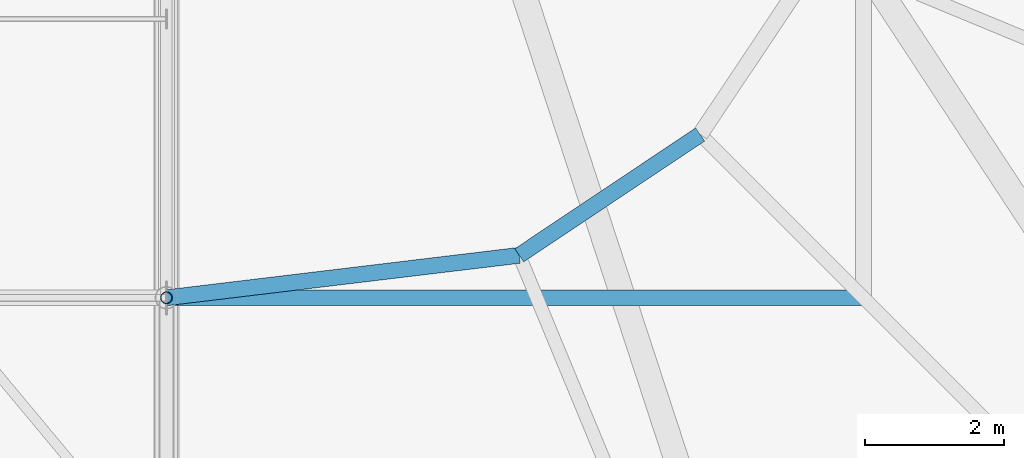
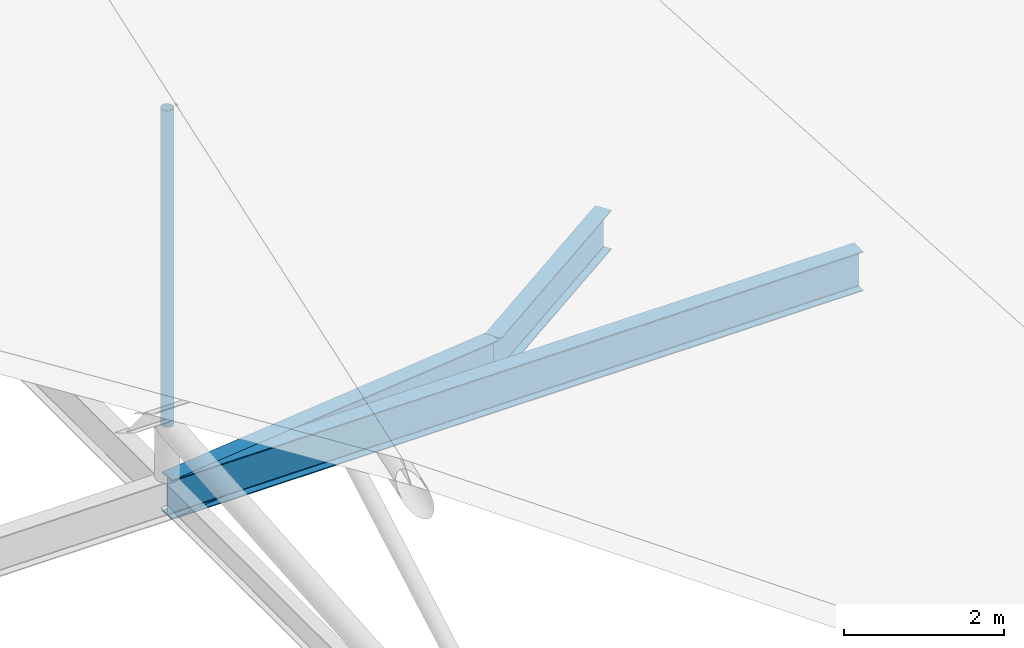
# One storey, part 62 of 93: 3 beams, 1 member.
"""IFC4 building model written with IfcOpenShell, lengths in metres."""

from ifc_helpers import new_model, si_unit, derived_unit, direction, frame, origin, origin_2d_with_axis, place, context, subcontext, project, spatial, hollow_circle, i_section, extrude, material, material_profile, profile_set, type_object, element, save


model = new_model("IFC4")

# Units and contexts
model_context = context("Model", 3, precision=1e-05, world=origin(), true_north=direction((0.0, 1.0)))
body_context = subcontext(model_context, "Body", "Model", "MODEL_VIEW")
ifc_project = project(units=[si_unit("LENGTHUNIT", "METRE"), si_unit("AREAUNIT", "SQUARE_METRE"), si_unit("VOLUMEUNIT", "CUBIC_METRE"), si_unit("PLANEANGLEUNIT", "RADIAN"), si_unit("MASSUNIT", "GRAM", prefix="KILO"), derived_unit("THERMALTRANSMITTANCEUNIT", [(si_unit("POWERUNIT", "WATT"), 1), (si_unit("LENGTHUNIT", "METRE"), -2), (si_unit("THERMODYNAMICTEMPERATUREUNIT", "KELVIN"), -1)])], contexts=[model_context])

# Site, building, storey
site_placement = place(None, origin())
site = spatial("IfcSite", under=ifc_project, at=site_placement, CompositionType="ELEMENT")
building_placement = place(site_placement, origin())
building = spatial("IfcBuilding", under=site, at=building_placement, Name="Cinnabar Yard Market Hall", CompositionType="ELEMENT")
storey_placement = place(building_placement, frame((0.0, 0.0, 23.800048828125)))
storey = spatial("IfcBuildingStorey", under=building, at=storey_placement, Name="ROOF", CompositionType="ELEMENT", Elevation=23.800048828125)

# Beams
ifc_material_1 = material(Name="Steel Grade 300 (300 MPa)", Category="steel")
ifc_material_profile_1 = material_profile(ifc_material_1, i_section(OverallWidth=0.22802734375, OverallDepth=0.60205078125, WebThickness=0.010498046875, FlangeThickness=0.014892578125, FilletRadius=0.013916015625, at=origin_2d_with_axis()), Name="610UB101")
ifc_profile_set_1 = profile_set([ifc_material_profile_1], Name="Steel Grade 300 (300 MPa)")
beam_type = type_object("IfcBeamType", Name="BM-B02", PredefinedType="BEAM", material=ifc_profile_set_1)
beam_1_placement = place(storey_placement, frame((146.0, 24.0, -9.700927734375), z_axis=(1.0, 0.0, 0.0), x_axis=(0.0, 1.0, 0.0)))
element("IfcBeam", 1, at=beam_1_placement, inside=storey, type_object=beam_type, Name="Hall Longitudinal Tie Girder 00379", PredefinedType="BEAM", context=body_context, shape_type="SweptSolid", body=[
    extrude(i_section(OverallWidth=0.22802734375, OverallDepth=0.60205078125, WebThickness=0.010498046875, FlangeThickness=0.014892578125, FilletRadius=0.013916015625, at=origin_2d_with_axis()), origin(), (0.0, 0.0, 1.0), 10.0),
])
beam_2_placement = place(storey_placement, frame((146.0, 24.0, -9.700927734375), z_axis=(0.992841898615, 0.119436026198, 0.0), x_axis=(-0.119436026198, 0.992841898615, 0.0)))
element("IfcBeam", 2, at=beam_2_placement, inside=storey, type_object=beam_type, Name="Inner Corner Ring SE 00466", PredefinedType="BEAM", context=body_context, shape_type="SweptSolid", body=[
    extrude(i_section(OverallWidth=0.22802734375, OverallDepth=0.60205078125, WebThickness=0.010498046875, FlangeThickness=0.014892578125, FilletRadius=0.013916015625, at=origin_2d_with_axis()), origin(), (0.0, 0.0, 1.0), 5.097900390625),
])
beam_3_placement = place(storey_placement, frame((151.0615234375, 24.60888671875, -9.700927734375), z_axis=(0.831484320434, 0.555548220115, 0.0), x_axis=(-0.555548220115, 0.831484320434, 0.0)))
element("IfcBeam", 3, at=beam_3_placement, inside=storey, type_object=beam_type, Name="Inner Corner Ring SE 00469", PredefinedType="BEAM", context=body_context, shape_type="SweptSolid", body=[
    extrude(i_section(OverallWidth=0.22802734375, OverallDepth=0.60205078125, WebThickness=0.010498046875, FlangeThickness=0.014892578125, FilletRadius=0.013916015625, at=origin_2d_with_axis()), origin(), (0.0, 0.0, 1.0), 3.12158203125),
])

# Member
ifc_material_2 = material(Name="Cold-formed steel C350L0", Category="steel")
ifc_material_profile_2 = material_profile(ifc_material_2, hollow_circle(Radius=0.084228515625, WallThickness=0.00634765625, at=origin_2d_with_axis()), Name="168.3x6.4CHS")
ifc_profile_set_2 = profile_set([ifc_material_profile_2], Name="Cold-formed steel C350L0")
member_type = type_object("IfcMemberType", Name="MB-WB01", PredefinedType="STRUT", material=ifc_profile_set_2)
member_placement = place(storey_placement, frame((146.0, 24.0, -8.60009765625), z_axis=(0.0, 0.0, 1.0), x_axis=(1.0, 0.0, 0.0)))
element("IfcMember", 4, at=member_placement, inside=storey, type_object=member_type, Name="Hall Truss 146 Post 1", PredefinedType="STRUT", context=body_context, shape_type="SweptSolid", body=[
    extrude(hollow_circle(Radius=0.084228515625, WallThickness=0.00634765625, at=origin_2d_with_axis()), origin(), (0.0, 0.0, 1.0), 4.8388671875),
])

save(model, "model.ifc")
